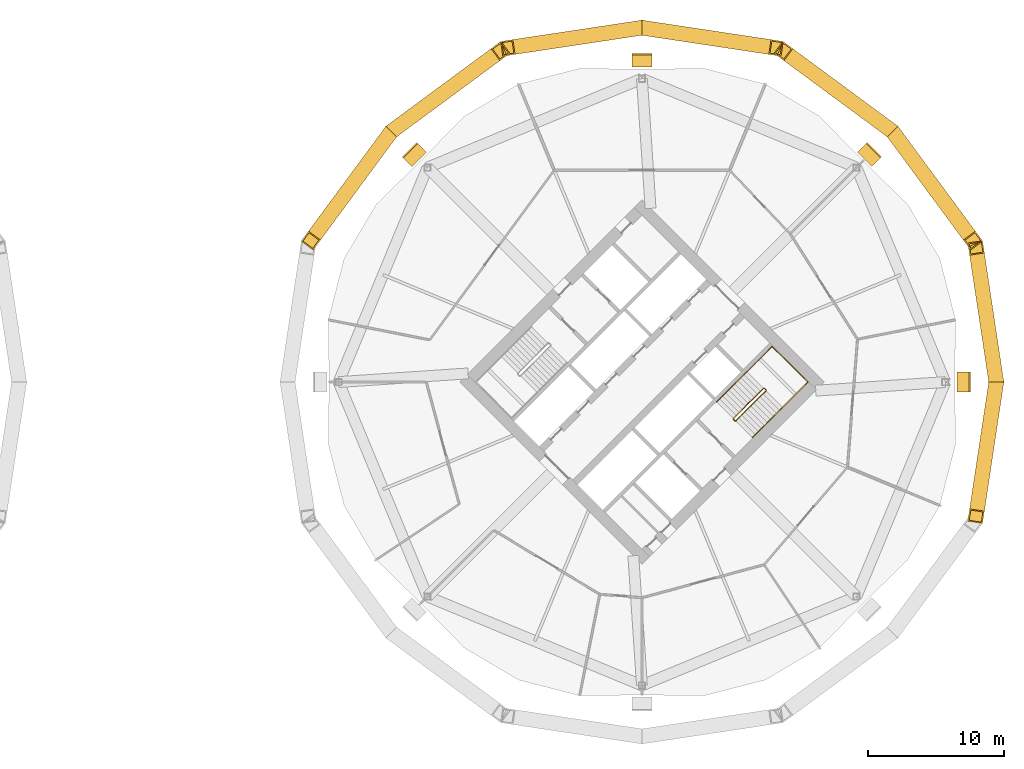
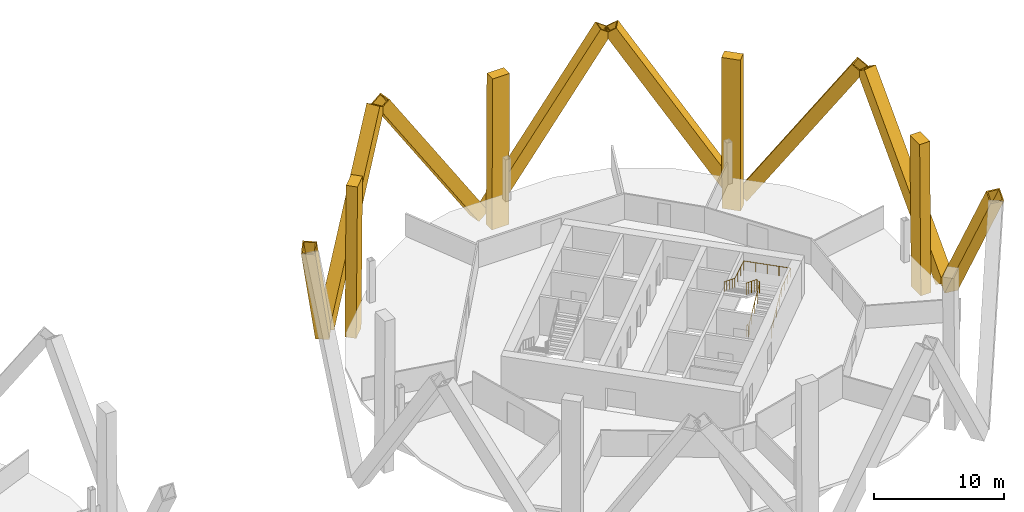
# One storey, part 10 of 10: 12 coverings, 2 railings.
"""IFC4 building model written with IfcOpenShell, lengths in metres."""

from ifc_helpers import new_model, si_unit, direction, frame, origin, origin_2d, place, context, subcontext, project, spatial, rectangle, hollow_rectangle, circle, extrude, material, material_profile, profile_set, type_object, element, save


model = new_model("IFC4")

# Units and contexts
model_context = context("Model", 3, precision=1e-05, world=origin(), true_north=direction((0.0, 1.0)))
body_context = subcontext(model_context, "Body", "Model", "MODEL_VIEW")
ifc_project = project(units=[si_unit("LENGTHUNIT", "METRE"), si_unit("AREAUNIT", "SQUARE_METRE"), si_unit("VOLUMEUNIT", "CUBIC_METRE"), si_unit("PLANEANGLEUNIT", "RADIAN"), si_unit("MASSUNIT", "GRAM", prefix="KILO")], contexts=[model_context])

# Site, building, storey
site_placement = place(None, origin())
site = spatial("IfcSite", under=ifc_project, at=site_placement, CompositionType="ELEMENT")
building_placement = place(site_placement, origin())
building = spatial("IfcBuilding", under=site, at=building_placement, Name="Ogive Gate Towers", CompositionType="ELEMENT")
storey_placement = place(building_placement, frame((0.0, 0.0, 119.10009765625)))
storey = spatial("IfcBuildingStorey", under=building, at=storey_placement, Name="L28", CompositionType="ELEMENT", Elevation=119.10009765625)

# Coverings
ifc_material_1 = material(Name="Pale metal aluminium", Category="aluminium")
ifc_material_profile_1 = material_profile(ifc_material_1, rectangle(XDim=1.5, YDim=0.89990234375, at=origin_2d()), Name="1500 x 900 pale metal aluminium")
ifc_profile_set_1 = profile_set([ifc_material_profile_1], Name="Pale metal aluminium")
covering_type_1 = type_object("IfcCoveringType", Name="Crease colonnette 1500 x 900", PredefinedType="CLADDING", material=ifc_profile_set_1)
for number, where, z_axis, x_axis, name in (
    (1, (59.77001953125, 0.0, -3.2001953125), (-0.007753704057, 0.0, 0.999969939585), (0.0, -1.0, 0.0), "Crease colonnette"),
    (2, (52.807861328125, 16.807861328125, -3.2001953125), (-0.005467135943, -0.005467135943, 0.999970109978), (0.707106781187, -0.707106781187, 0.0), "Crease colonnette"),
    (3, (36.0, 23.77001953125, -3.2001953125), (0.0, -0.007753704057, 0.999969939585), (1.0, 0.0, 0.0), "Crease colonnette"),
    (4, (19.192138671875, 16.807861328125, -3.2001953125), (0.005467135943, -0.005467135943, 0.999970109978), (0.707106781187, 0.707106781187, 0.0), "Crease colonnette"),
):
    element("IfcCovering", number, at=place(storey_placement, frame(where, z_axis=z_axis, x_axis=x_axis)), inside=storey, type_object=covering_type_1, Name=name, PredefinedType="CLADDING", context=body_context, shape_type="SweptSolid", body=[
        extrude(rectangle(XDim=1.5, YDim=0.89990234375, at=origin_2d()), origin(), (0.0, 0.0, 1.0), 14.20068359375),
    ])
ifc_material_2 = material(Name="Pale metal aluminium cladding", Category="aluminium")
ifc_material_profile_2 = material_profile(ifc_material_2, hollow_rectangle(XDim=1.10009765625, YDim=1.10009765625, WallThickness=0.10009765625, at=origin_2d()), Name="1100 x 1100 pale metal casing")
ifc_profile_set_2 = profile_set([ifc_material_profile_2], Name="Pale metal aluminium cladding")
covering_type_2 = type_object("IfcCoveringType", Name="Diagrid casing 1100 x 1100", PredefinedType="CLADDING", material=ifc_profile_set_2)
for number, where, z_axis, x_axis, name in (
    (5, (62.064697265625, -0.299560546875, -3.44091796875), (-0.082109716204, -0.544636134816, 0.834643322119), (0.988825734438, -0.149076044059, 0.0), "Diagrid casing"),
    (6, (62.064697265625, 0.299560546875, -3.44091796875), (-0.082109716204, 0.544636134816, 0.834643322119), (-0.988825734438, -0.149076044059, 0.0), "Diagrid casing"),
    (7, (54.642578125, 18.218994140625, -3.44091796875), (0.327036666964, -0.443192074417, 0.834642320779), (0.804644593258, 0.593756750311, 0.0), "Diagrid casing"),
    (8, (54.218994140625, 18.642578125, -3.44091796875), (-0.443192074417, 0.327036666964, 0.834642320779), (-0.593756750311, -0.804644593258, 0.0), "Diagrid casing"),
    (9, (36.299560546875, 26.064697265625, -3.44091796875), (0.544636134816, -0.082109716204, 0.834643322119), (0.149076044059, 0.988825734438, 0.0), "Diagrid casing"),
    (10, (35.700439453125, 26.064697265625, -3.44091796875), (-0.544636134816, -0.082109716204, 0.834643322119), (0.149076044059, -0.988825734438, 0.0), "Diagrid casing"),
    (11, (17.781005859375, 18.642578125, -3.44091796875), (0.443192074417, 0.327036666964, 0.834642320779), (-0.593756750311, 0.804644593258, 0.0), "Diagrid casing"),
    (12, (17.357421875, 18.218994140625, -3.44091796875), (-0.327036666964, -0.443192074417, 0.834642320779), (0.804644593258, -0.593756750311, 0.0), "Diagrid casing"),
):
    element("IfcCovering", number, at=place(storey_placement, frame(where, z_axis=z_axis, x_axis=x_axis)), inside=storey, type_object=covering_type_2, Name=name, PredefinedType="CLADDING", context=body_context, shape_type="SweptSolid", body=[
        extrude(hollow_rectangle(XDim=1.10009765625, YDim=1.10009765625, WallThickness=0.10009765625, at=origin_2d()), origin(), (0.0, 0.0, 1.0), 17.59033203125),
    ])

# Railings
ifc_material_3 = material(Name="Stainless steel", Category="steel")
railing_type_1 = type_object("IfcRailingType", Name="Stair guard 1100", PredefinedType="GUARDRAIL", material=ifc_material_3)
railing_1_placement = place(storey_placement, frame((42.84130859375, -2.8603515625, 0.0)))
element("IfcRailing", 13, at=railing_1_placement, inside=storey, type_object=railing_type_1, Name="L28 ST2 stair guard 1", PredefinedType="GUARDRAIL", context=body_context, shape_type="SweptSolid", body=[
    extrude(circle(Radius=0.02392578125, at=origin_2d()), frame((0.0, 0.0, 1.076171875), z_axis=(-0.707106781187, 0.707106781187, 0.0), x_axis=(-0.707106781187, -0.707106781187, 0.0)), (0.0, 0.0, 1.0), 0.14501953125),
    extrude(circle(Radius=0.02392578125, at=origin_2d()), frame((-0.1025390625, 0.1025390625, 1.076171875), z_axis=(0.645571447971, -0.382425963537, 0.661050594114), x_axis=(0.509669330572, 0.860370369942, 0.0)), (0.0, 0.0, 1.0), 0.26806640625),
    extrude(circle(Radius=0.02392578125, at=origin_2d()), frame((0.070556640625, 0.0, 1.25341796875), z_axis=(0.61558473135, 0.61558473135, 0.49204763698), x_axis=(-0.707106781187, 0.707106781187, 0.0)), (0.0, 0.0, 1.0), 3.602783203125),
    extrude(circle(Radius=0.02392578125, at=origin_2d()), frame((2.288330078125, 2.2177734375, 3.02587890625), z_axis=(0.0, 1.0, 0.0), x_axis=(-1.0, 0.0, 0.0)), (0.0, 0.0, 1.0), 0.07080078125),
    extrude(circle(Radius=0.02392578125, at=origin_2d()), frame((2.288330078125, 2.28857421875, 3.02587890625), z_axis=(-0.707106781187, 0.707106781187, 0.0), x_axis=(-0.707106781187, -0.707106781187, 0.0)), (0.0, 0.0, 1.0), 0.14501953125),
    extrude(circle(Radius=0.02392578125, at=origin_2d()), frame((2.185791015625, 2.39111328125, 3.02587890625), z_axis=(-0.369845645421, 0.0, 0.929093213065), x_axis=(0.0, -1.0, 0.0)), (0.0, 0.0, 1.0), 0.190673828125),
    extrude(circle(Radius=0.02392578125, at=origin_2d()), frame((2.115234375, 2.39111328125, 3.203125), z_axis=(-0.61558473135, -0.61558473135, 0.49204763698), x_axis=(0.707106781187, -0.707106781187, 0.0)), (0.0, 0.0, 1.0), 3.602783203125),
    extrude(circle(Radius=0.02099609375, at=origin_2d()), origin(), (0.0, 0.0, 1.0), 1.052001953125),
    extrude(circle(Radius=0.02099609375, at=origin_2d()), frame((-0.1025390625, 0.1025390625, 0.0)), (0.0, 0.0, 1.0), 1.052001953125),
    extrude(circle(Radius=0.02099609375, at=origin_2d()), frame((0.070556640625, 0.0, 0.17724609375)), (0.0, 0.0, 1.0), 1.052001953125),
    extrude(circle(Radius=0.02099609375, at=origin_2d()), frame((0.625, 0.554443359375, 0.620361328125)), (0.0, 0.0, 1.0), 1.052001953125),
    extrude(circle(Radius=0.02099609375, at=origin_2d()), frame((1.179443359375, 1.10888671875, 1.0634765625)), (0.0, 0.0, 1.0), 1.052001953125),
    extrude(circle(Radius=0.02099609375, at=origin_2d()), frame((1.73388671875, 1.663330078125, 1.5068359375)), (0.0, 0.0, 1.0), 1.052001953125),
    extrude(circle(Radius=0.02099609375, at=origin_2d()), frame((2.288330078125, 2.2177734375, 1.949951171875)), (0.0, 0.0, 1.0), 1.052001953125),
    extrude(circle(Radius=0.02099609375, at=origin_2d()), frame((2.288330078125, 2.28857421875, 1.949951171875)), (0.0, 0.0, 1.0), 1.052001953125),
    extrude(circle(Radius=0.02099609375, at=origin_2d()), frame((2.185791015625, 2.39111328125, 1.949951171875)), (0.0, 0.0, 1.0), 1.052001953125),
    extrude(circle(Radius=0.02099609375, at=origin_2d()), frame((2.115234375, 2.39111328125, 2.127197265625)), (0.0, 0.0, 1.0), 1.052001953125),
    extrude(circle(Radius=0.02099609375, at=origin_2d()), frame((1.560791015625, 1.836669921875, 2.5703125)), (0.0, 0.0, 1.0), 1.052001953125),
    extrude(circle(Radius=0.02099609375, at=origin_2d()), frame((1.00634765625, 1.2822265625, 3.013671875)), (0.0, 0.0, 1.0), 1.052001953125),
    extrude(circle(Radius=0.02099609375, at=origin_2d()), frame((0.451904296875, 0.727783203125, 3.456787109375)), (0.0, 0.0, 1.0), 1.052001953125),
    extrude(circle(Radius=0.02099609375, at=origin_2d()), frame((-0.1025390625, 0.17333984375, 3.89990234375)), (0.0, 0.0, 1.0), 1.052001953125),
])
railing_type_2 = type_object("IfcRailingType", Name="Stair handrail 900", PredefinedType="HANDRAIL", material=ifc_material_3)
railing_2_placement = place(storey_placement, frame((44.142333984375, -4.090576171875, 0.17724609375)))
element("IfcRailing", 14, at=railing_2_placement, inside=storey, type_object=railing_type_2, Name="L28 ST2 stair handrail 1", PredefinedType="HANDRAIL", context=body_context, shape_type="SweptSolid", body=[
    extrude(circle(Radius=0.02392578125, at=origin_2d()), frame((0.0, 0.0, 0.8759765625), z_axis=(0.61558473135, 0.61558473135, 0.49204763698), x_axis=(-0.707106781187, 0.707106781187, 0.0)), (0.0, 0.0, 1.0), 3.602783203125),
    extrude(circle(Radius=0.02392578125, at=origin_2d()), frame((2.2177734375, 2.2177734375, 2.6484375), z_axis=(0.707106781187, 0.707106781187, 0.0), x_axis=(-0.707106781187, 0.707106781187, 0.0)), (0.0, 0.0, 1.0), 2.6484375),
    extrude(circle(Radius=0.02392578125, at=origin_2d()), frame((4.090576171875, 4.090576171875, 2.6484375), z_axis=(-0.707106781187, 0.707106781187, 0.0), x_axis=(-0.707106781187, -0.707106781187, 0.0)), (0.0, 0.0, 1.0), 3.72509765625),
    extrude(circle(Radius=0.02392578125, at=origin_2d()), frame((1.45654296875, 6.724609375, 2.6484375), z_axis=(-0.705482886452, -0.705574853978, 0.066768423356), x_axis=(0.70715286629, -0.70706069308, 0.0)), (0.0, 0.0, 1.0), 2.654541015625),
    extrude(circle(Radius=0.02392578125, at=origin_2d()), frame((-0.416259765625, 4.8515625, 2.82568359375), z_axis=(-0.615610411033, -0.615542642384, 0.4920681632), x_axis=(0.70706785752, -0.70714570271, 0.0)), (0.0, 0.0, 1.0), 3.6025390625),
    extrude(circle(Radius=0.02099609375, at=origin_2d()), origin(), (0.0, 0.0, 1.0), 0.851806640625),
    extrude(circle(Radius=0.02099609375, at=origin_2d()), frame((0.554443359375, 0.554443359375, 0.443115234375)), (0.0, 0.0, 1.0), 0.851806640625),
    extrude(circle(Radius=0.02099609375, at=origin_2d()), frame((1.10888671875, 1.10888671875, 0.88623046875)), (0.0, 0.0, 1.0), 0.851806640625),
    extrude(circle(Radius=0.02099609375, at=origin_2d()), frame((1.663330078125, 1.663330078125, 1.32958984375)), (0.0, 0.0, 1.0), 0.851806640625),
    extrude(circle(Radius=0.02099609375, at=origin_2d()), frame((2.2177734375, 2.2177734375, 1.772705078125)), (0.0, 0.0, 1.0), 0.851806640625),
    extrude(circle(Radius=0.02099609375, at=origin_2d()), frame((2.842041015625, 2.842041015625, 1.772705078125)), (0.0, 0.0, 1.0), 0.851806640625),
    extrude(circle(Radius=0.02099609375, at=origin_2d()), frame((3.46630859375, 3.46630859375, 1.772705078125)), (0.0, 0.0, 1.0), 0.851806640625),
    extrude(circle(Radius=0.02099609375, at=origin_2d()), frame((4.090576171875, 4.090576171875, 1.772705078125)), (0.0, 0.0, 1.0), 0.851806640625),
    extrude(circle(Radius=0.02099609375, at=origin_2d()), frame((3.43212890625, 4.7490234375, 1.772705078125)), (0.0, 0.0, 1.0), 0.851806640625),
    extrude(circle(Radius=0.02099609375, at=origin_2d()), frame((2.7734375, 5.40771484375, 1.772705078125)), (0.0, 0.0, 1.0), 0.851806640625),
    extrude(circle(Radius=0.02099609375, at=origin_2d()), frame((2.114990234375, 6.066162109375, 1.772705078125)), (0.0, 0.0, 1.0), 0.851806640625),
    extrude(circle(Radius=0.02099609375, at=origin_2d()), frame((1.45654296875, 6.724609375, 1.772705078125)), (0.0, 0.0, 1.0), 0.851806640625),
    extrude(circle(Radius=0.02099609375, at=origin_2d()), frame((0.832275390625, 6.100341796875, 1.831787109375)), (0.0, 0.0, 1.0), 0.851806640625),
    extrude(circle(Radius=0.02099609375, at=origin_2d()), frame((0.2080078125, 5.475830078125, 1.890869140625)), (0.0, 0.0, 1.0), 0.851806640625),
    extrude(circle(Radius=0.02099609375, at=origin_2d()), frame((-0.416259765625, 4.8515625, 1.949951171875)), (0.0, 0.0, 1.0), 0.851806640625),
    extrude(circle(Radius=0.02099609375, at=origin_2d()), frame((-0.970703125, 4.297119140625, 2.39306640625)), (0.0, 0.0, 1.0), 0.851806640625),
    extrude(circle(Radius=0.02099609375, at=origin_2d()), frame((-1.525146484375, 3.74267578125, 2.83642578125)), (0.0, 0.0, 1.0), 0.851806640625),
    extrude(circle(Radius=0.02099609375, at=origin_2d()), frame((-2.07958984375, 3.1884765625, 3.279541015625)), (0.0, 0.0, 1.0), 0.851806640625),
    extrude(circle(Radius=0.02099609375, at=origin_2d()), frame((-2.634033203125, 2.634033203125, 3.72265625)), (0.0, 0.0, 1.0), 0.851806640625),
])

save(model, "model.ifc")
